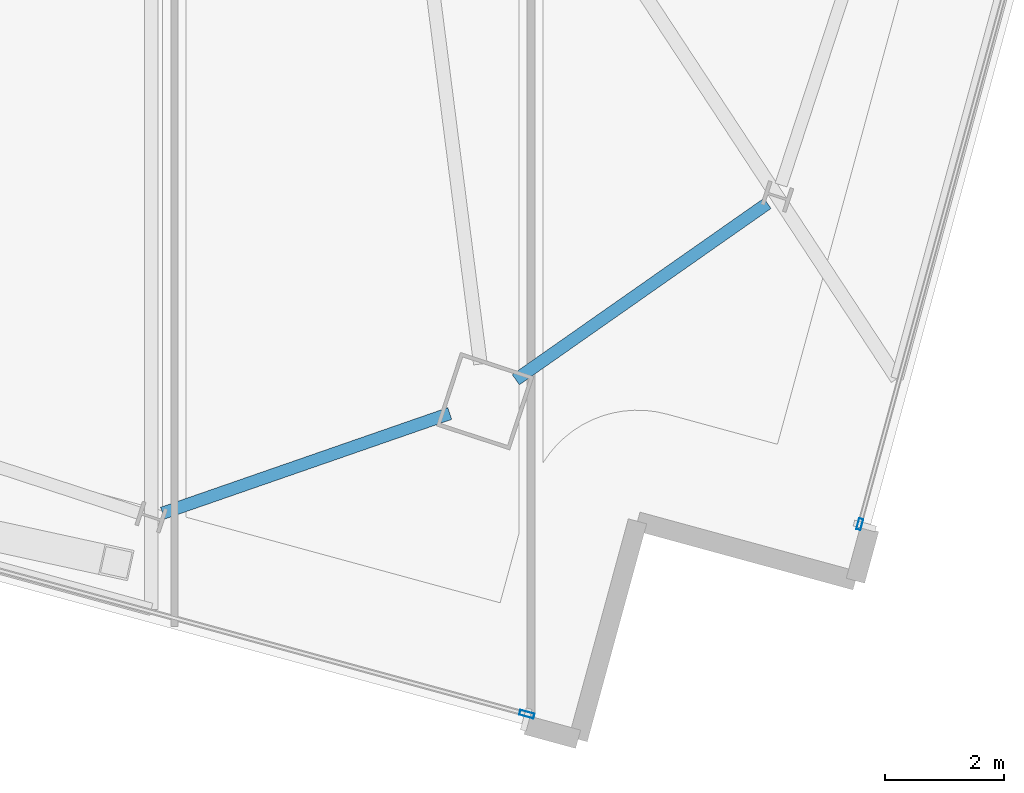
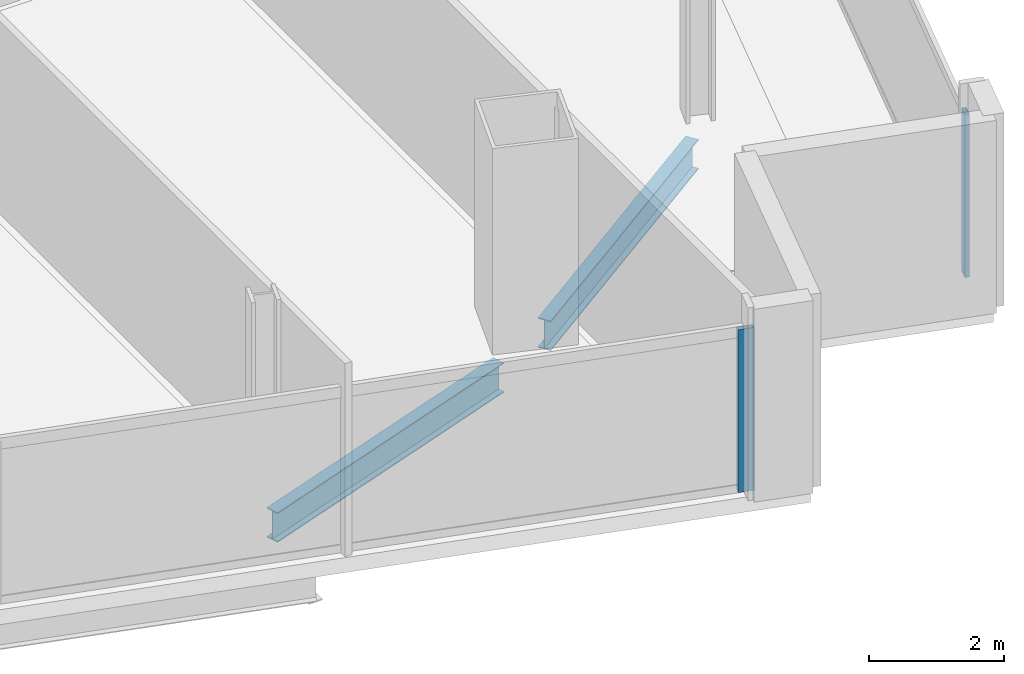
# One storey, part 7 of 26: 2 beams, 2 members, 2 elements without a shape of their own.
"""IFC4 building model written with IfcOpenShell, lengths in metres."""

from ifc_helpers import new_model, si_unit, direction, frame, origin, origin_2d, place, context, subcontext, project, spatial, hollow_rectangle, i_section, extrude, material, material_profile, profile_set, type_object, element, aggregate, save


model = new_model("IFC4")

# Units and contexts
model_context = context("Model", 3, precision=1e-05, world=origin(), true_north=direction((0.0, 1.0)))
body_context = subcontext(model_context, "Body", "Model", "MODEL_VIEW")
ifc_project = project(units=[si_unit("LENGTHUNIT", "METRE"), si_unit("AREAUNIT", "SQUARE_METRE"), si_unit("VOLUMEUNIT", "CUBIC_METRE"), si_unit("PLANEANGLEUNIT", "RADIAN"), si_unit("MASSUNIT", "GRAM", prefix="KILO")], contexts=[model_context])

# Site, building, storey
site_placement = place(None, origin())
site = spatial("IfcSite", under=ifc_project, at=site_placement, CompositionType="ELEMENT")
building_placement = place(site_placement, origin())
building = spatial("IfcBuilding", under=site, at=building_placement, Name="Haldenkirk Collegiate Tower", CompositionType="ELEMENT")
storey_placement = place(building_placement, frame((0.0, 0.0, 278.699951171875)))
storey = spatial("IfcBuildingStorey", under=building, at=storey_placement, Name="L70", CompositionType="ELEMENT", Elevation=278.699951171875)

# Beams
ifc_material_1 = material(Name="Steel ASTM A992 Grade 50", Category="steel")
ifc_material_profile_1 = material_profile(ifc_material_1, i_section(OverallWidth=0.2099609375, OverallDepth=0.537109375, WebThickness=0.010986328125, FlangeThickness=0.017333984375, at=origin_2d()), Name="W21X68")
ifc_profile_set_1 = profile_set([ifc_material_profile_1], Name="Steel ASTM A992 Grade 50")
beam_type = type_object("IfcBeamType", Name="BM-SPANDREL-W21X68", PredefinedType="SPANDREL", material=ifc_profile_set_1)
beam_1_placement = place(storey_placement, frame((47.243896484375, 4.805908203125, -0.538330078125), z_axis=(0.818943373955, 0.573874333156, 0.0), x_axis=(-0.573874333156, 0.818943373955, 0.0)))
element("IfcBeam", 1, at=beam_1_placement, inside=storey, type_object=beam_type, Name="L70 perimeter spandrel beam 01", PredefinedType="SPANDREL", context=body_context, shape_type="SweptSolid", body=[
    extrude(i_section(OverallWidth=0.2099609375, OverallDepth=0.537109375, WebThickness=0.010986328125, FlangeThickness=0.017333984375, at=origin_2d()), origin(), (0.0, 0.0, 1.0), 5.16943359375),
])
beam_2_placement = place(storey_placement, frame((41.302490234375, 2.56103515625, -0.538330078125), z_axis=(0.944700169719, 0.327935343221, 0.0), x_axis=(-0.327935343221, 0.944700169719, 0.0)))
element("IfcBeam", 2, at=beam_2_placement, inside=storey, type_object=beam_type, Name="L70 perimeter spandrel beam 16", PredefinedType="SPANDREL", context=body_context, shape_type="SweptSolid", body=[
    extrude(i_section(OverallWidth=0.2099609375, OverallDepth=0.537109375, WebThickness=0.010986328125, FlangeThickness=0.017333984375, at=origin_2d()), origin(), (0.0, 0.0, 1.0), 5.113037109375),
])

# Curtain wall, member
ifc_material_2 = material(Name="Anodised architectural bronze aluminium", Category="aluminium")
curtain_wall_type_1 = type_object("IfcCurtainWallType", Name="CW-SYS2-CONCAVE", PredefinedType="USERDEFINED", material=ifc_material_2)
curtain_wall_1_placement = place(storey_placement, origin())
curtain_wall_1 = element("IfcCurtainWall", 3, at=curtain_wall_1_placement, inside=storey, type_object=curtain_wall_type_1, Name="L70 South concave recessed bronze-anodised curtain wall", ObjectType="UNITISED CURTAIN WALL", PredefinedType="USERDEFINED")
ifc_material_profile_2 = material_profile(ifc_material_2, hollow_rectangle(XDim=0.074951171875, YDim=0.18994140625, WallThickness=0.0048828125, at=origin_2d()), Name="CW-MUL-02")
ifc_profile_set_2 = profile_set([ifc_material_profile_2], Name="Anodised architectural bronze aluminium")
member_type_1 = type_object("IfcMemberType", Name="CW-MUL-02", PredefinedType="MULLION", material=ifc_profile_set_2)
member_1_placement = place(storey_placement, frame((53.03076171875, 2.3759765625, 0.0), z_axis=(0.0, 0.0, 1.0), x_axis=(0.964786957297, -0.263032558878, 0.0)))
member_1 = element("IfcMember", 4, at=member_1_placement, type_object=member_type_1, Name="CW-02 mullion 4", PredefinedType="MULLION", context=body_context, shape_type="SweptSolid", body=[
    extrude(hollow_rectangle(XDim=0.074951171875, YDim=0.18994140625, WallThickness=0.0048828125, at=origin_2d()), origin(), (0.0, 0.0, 1.0), 2.93798828125),
])
aggregate(curtain_wall_1, [member_1])

curtain_wall_type_2 = type_object("IfcCurtainWallType", Name="CW-SYS1B-CONVEX-HI", PredefinedType="USERDEFINED", material=ifc_material_2)
curtain_wall_2_placement = place(storey_placement, origin())
curtain_wall_2 = element("IfcCurtainWall", 5, at=curtain_wall_2_placement, inside=storey, type_object=curtain_wall_type_2, Name="L70 Upper tower high-wind convex bronze unitised curtain wall", ObjectType="UNITISED CURTAIN WALL", PredefinedType="USERDEFINED")
ifc_material_profile_3 = material_profile(ifc_material_2, hollow_rectangle(XDim=0.0849609375, YDim=0.25, WallThickness=0.0048828125, at=origin_2d()), Name="CW-MUL-1B")
ifc_profile_set_3 = profile_set([ifc_material_profile_3], Name="Anodised architectural bronze aluminium")
member_type_2 = type_object("IfcMemberType", Name="CW-MUL-1B", PredefinedType="MULLION", material=ifc_profile_set_3)
member_2_placement = place(storey_placement, frame((47.43017578125, -0.82080078125, 0.0), z_axis=(0.0, 0.0, 1.0), x_axis=(-0.263031020173, -0.964787376797, 0.0)))
member_2 = element("IfcMember", 6, at=member_2_placement, type_object=member_type_2, Name="CW-1B mullion 1", PredefinedType="MULLION", context=body_context, shape_type="SweptSolid", body=[
    extrude(hollow_rectangle(XDim=0.0849609375, YDim=0.25, WallThickness=0.0048828125, at=origin_2d()), origin(), (0.0, 0.0, 1.0), 2.93798828125),
])
aggregate(curtain_wall_2, [member_2])

save(model, "model.ifc")
